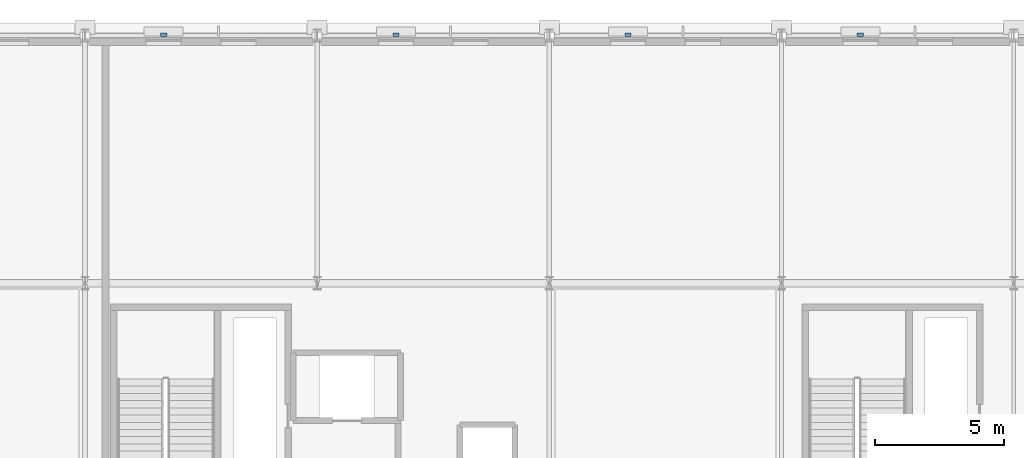
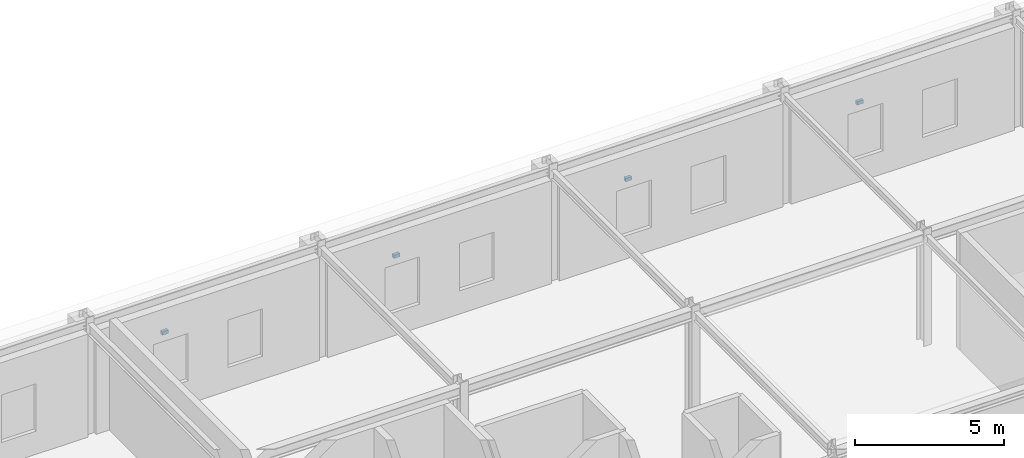
# One storey, part 91 of 125: 4 discrete accessories.
"""IFC4 building model written with IfcOpenShell, lengths in metres."""

from ifc_helpers import new_model, si_unit, direction, frame, origin, origin_2d, place, context, subcontext, project, spatial, rectangle, extrude, material, type_object, element, save


model = new_model("IFC4")

# Units and contexts
model_context = context("Model", 3, precision=1e-05, world=origin(), true_north=direction((0.0, 1.0)))
body_context = subcontext(model_context, "Body", "Model", "MODEL_VIEW")
ifc_project = project(units=[si_unit("LENGTHUNIT", "METRE"), si_unit("AREAUNIT", "SQUARE_METRE"), si_unit("VOLUMEUNIT", "CUBIC_METRE"), si_unit("PLANEANGLEUNIT", "RADIAN"), si_unit("MASSUNIT", "GRAM", prefix="KILO")], contexts=[model_context])

# Site, building, storey
site_placement = place(None, origin())
site = spatial("IfcSite", under=ifc_project, at=site_placement, CompositionType="ELEMENT")
building_placement = place(site_placement, origin())
building = spatial("IfcBuilding", under=site, at=building_placement, Name="Myrtia Square Station", CompositionType="ELEMENT")
storey_placement = place(building_placement, frame((0.0, 0.0, 6.0)))
storey = spatial("IfcBuildingStorey", under=building, at=storey_placement, Name="L01", CompositionType="ELEMENT", Elevation=6.0)

# Discrete accessories
ifc_material = material(Name="Steel S355", Category="steel")
discrete_accessory_type = type_object("IfcDiscreteAccessoryType", Name="ACC-BRACKET-BRONZE", PredefinedType="BRACKET", material=ifc_material)
for number, where, z_axis, x_axis, name in (
    (1, (129.052001953125, 124.830078125, 2.8798828125), (0.0, 0.0, 1.0), (1.0, 0.0, 0.0), "Solar shading fixing bracket 044"),
    (2, (138.052001953125, 124.830078125, 2.8798828125), (0.0, 0.0, 1.0), (1.0, 0.0, 0.0), "Solar shading fixing bracket 045"),
    (3, (147.052001953125, 124.830078125, 2.8798828125), (0.0, 0.0, 1.0), (1.0, 0.0, 0.0), "Solar shading fixing bracket 046"),
    (4, (156.052001953125, 124.830078125, 2.8798828125), (0.0, 0.0, 1.0), (1.0, 0.0, 0.0), "Solar shading fixing bracket 047"),
):
    element("IfcDiscreteAccessory", number, at=place(storey_placement, frame(where, z_axis=z_axis, x_axis=x_axis)), inside=storey, type_object=discrete_accessory_type, Name=name, PredefinedType="BRACKET", context=body_context, shape_type="SweptSolid", body=[
        extrude(rectangle(XDim=0.239990234375, YDim=0.1201171875, at=origin_2d()), origin(), (0.0, 0.0, 1.0), 0.139892578125),
    ])

save(model, "model.ifc")
